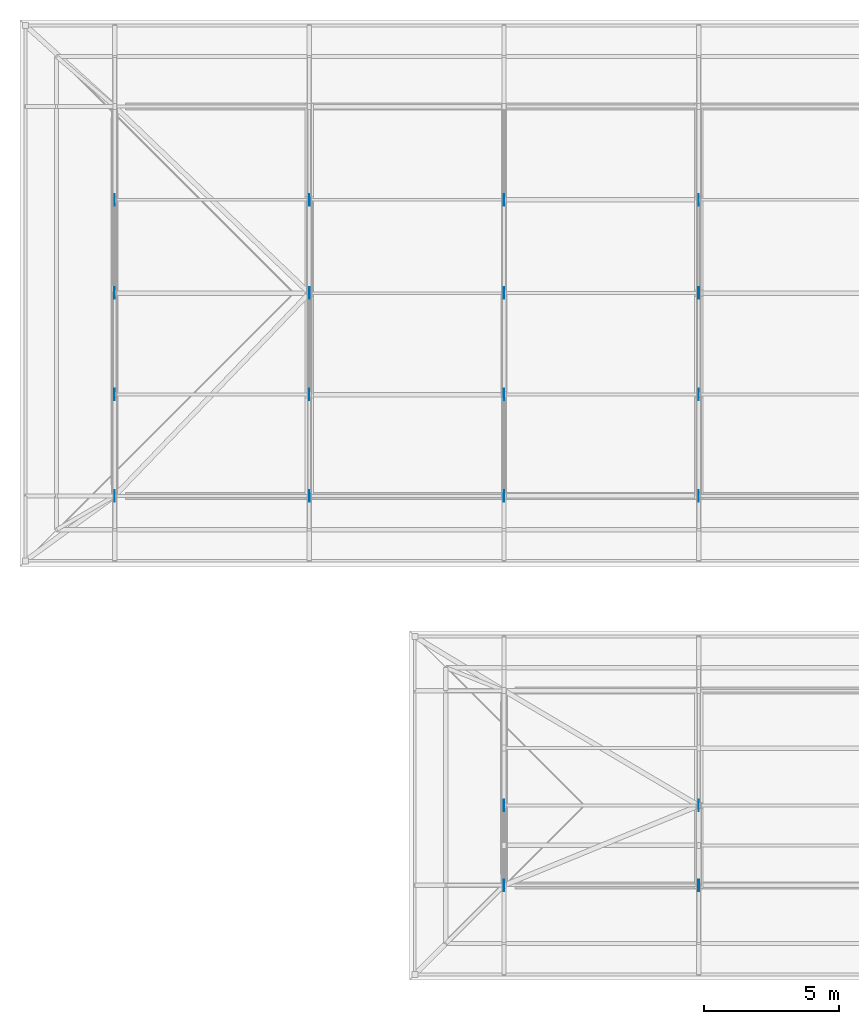
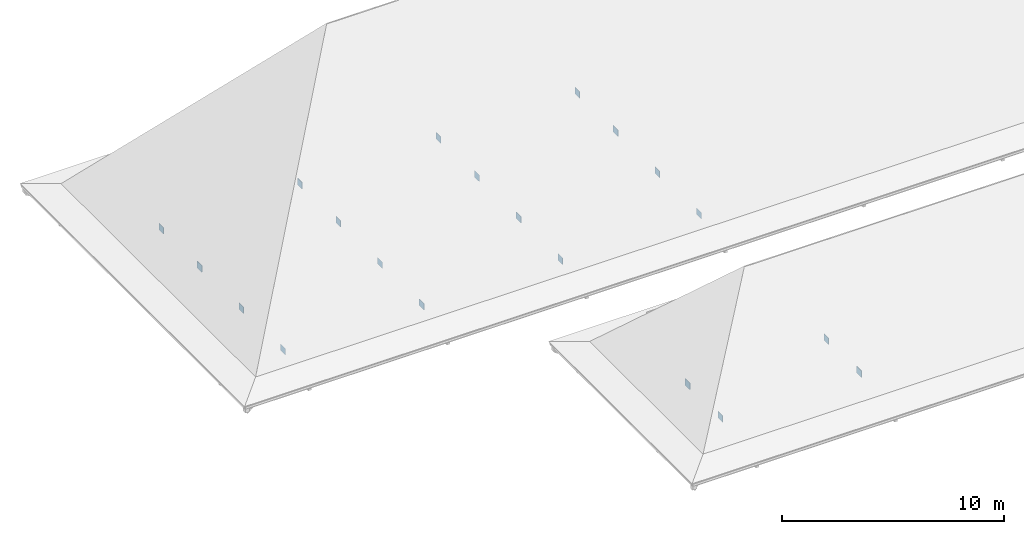
# One storey, part 9 of 12: 20 plates.
"""IFC4 building model written with IfcOpenShell, lengths in metres."""

from ifc_helpers import new_model, si_unit, direction, frame, origin, origin_2d, place, context, subcontext, project, spatial, rectangle, extrude, material, layer, layer_set, type_object, element, save


model = new_model("IFC4")

# Units and contexts
model_context = context("Model", 3, precision=1e-05, world=origin(), true_north=direction((0.0, 1.0)))
body_context = subcontext(model_context, "Body", "Model", "MODEL_VIEW")
ifc_project = project(units=[si_unit("LENGTHUNIT", "METRE"), si_unit("AREAUNIT", "SQUARE_METRE"), si_unit("VOLUMEUNIT", "CUBIC_METRE"), si_unit("PLANEANGLEUNIT", "RADIAN"), si_unit("MASSUNIT", "GRAM", prefix="KILO")], contexts=[model_context])

# Site, building, storey
site_placement = place(None, origin())
site = spatial("IfcSite", under=ifc_project, at=site_placement, CompositionType="ELEMENT")
building_placement = place(site_placement, origin())
building = spatial("IfcBuilding", under=site, at=building_placement, Name="Steenspoor Specialist Clinic", CompositionType="ELEMENT")
storey_placement = place(building_placement, frame((0.0, 0.0, 25.800048828125)))
storey = spatial("IfcBuildingStorey", under=building, at=storey_placement, Name="RF", CompositionType="ELEMENT", Elevation=25.800048828125)

# Plates
ifc_material = material(Name="Steel A572 Grade 50", Category="steel")
ifc_layer_1 = layer(ifc_material, 0.010009765625)
ifc_layer_set_1 = layer_set([ifc_layer_1], Name="Steel A572 Grade 50")
plate_type_1 = type_object("IfcPlateType", Name="PL-CAP-10", PredefinedType="SHEET", material=ifc_layer_set_1)
for number, where, z_axis, x_axis, name in (
    (1, (59.60009765625, 93.949951171875, 0.19970703125), (0.0, 0.0, 1.0), (1.0, 0.0, 0.0), "Truss Gusset Plate GP-10"),
    (2, (59.60009765625, 104.89990234375, 0.19970703125), (0.0, 0.0, 1.0), (1.0, 0.0, 0.0), "Truss Gusset Plate GP-10"),
    (3, (66.800048828125, 97.699951171875, 0.1513671875), (0.0, 0.0, 1.0), (1.0, 0.0, 0.0), "Truss Gusset Plate GP-10"),
    (4, (74.0, 101.449951171875, 0.12841796875), (0.0, 0.0, 1.0), (1.0, 0.0, 0.0), "Truss Gusset Plate GP-10"),
    (5, (81.199951171875, 93.949951171875, 0.09619140625), (0.0, 0.0, 1.0), (1.0, 0.0, 0.0), "Truss Gusset Plate GP-10"),
    (6, (81.199951171875, 104.89990234375, 0.09619140625), (0.0, 0.0, 1.0), (1.0, 0.0, 0.0), "Truss Gusset Plate GP-10"),
    (7, (81.199951171875, 82.5, 0.1513671875), (0.0, 0.0, 1.0), (1.0, 0.0, 0.0), "Truss Gusset Plate GP-10"),
):
    element("IfcPlate", number, at=place(storey_placement, frame(where, z_axis=z_axis, x_axis=x_axis)), inside=storey, type_object=plate_type_1, Name=name, PredefinedType="SHEET", context=body_context, shape_type="SweptSolid", body=[
        extrude(rectangle(XDim=0.010009765625, YDim=0.419921875, at=origin_2d()), origin(), (0.0, 0.0, 1.0), 0.360107421875),
    ])
ifc_layer_2 = layer(ifc_material, 0.01611328125)
ifc_layer_set_2 = layer_set([ifc_layer_2], Name="Steel A572 Grade 50")
plate_type_2 = type_object("IfcPlateType", Name="PL-GUS-16", PredefinedType="SHEET", material=ifc_layer_set_2)
for number, where, z_axis, x_axis, name in (
    (8, (59.60009765625, 97.699951171875, 0.19970703125), (0.0, 0.0, 1.0), (1.0, 0.0, 0.0), "Truss Gusset Plate GP-16"),
    (9, (66.800048828125, 101.449951171875, 0.1513671875), (0.0, 0.0, 1.0), (1.0, 0.0, 0.0), "Truss Gusset Plate GP-16"),
    (10, (74.0, 93.949951171875, 0.12841796875), (0.0, 0.0, 1.0), (1.0, 0.0, 0.0), "Truss Gusset Plate GP-16"),
    (11, (74.0, 104.89990234375, 0.12841796875), (0.0, 0.0, 1.0), (1.0, 0.0, 0.0), "Truss Gusset Plate GP-16"),
    (12, (81.199951171875, 97.699951171875, 0.09619140625), (0.0, 0.0, 1.0), (1.0, 0.0, 0.0), "Truss Gusset Plate GP-16"),
    (13, (74.0, 79.550048828125, 0.19970703125), (0.0, 0.0, 1.0), (1.0, 0.0, 0.0), "Truss Gusset Plate GP-16"),
):
    element("IfcPlate", number, at=place(storey_placement, frame(where, z_axis=z_axis, x_axis=x_axis)), inside=storey, type_object=plate_type_2, Name=name, PredefinedType="SHEET", context=body_context, shape_type="SweptSolid", body=[
        extrude(rectangle(XDim=0.01611328125, YDim=0.419921875, at=origin_2d()), origin(), (0.0, 0.0, 1.0), 0.360107421875),
    ])
ifc_layer_3 = layer(ifc_material, 0.02392578125)
ifc_layer_set_3 = layer_set([ifc_layer_3], Name="Steel A572 Grade 50")
plate_type_3 = type_object("IfcPlateType", Name="PL-GUS-24", PredefinedType="SHEET", material=ifc_layer_set_3)
for number, where, z_axis, x_axis, name in (
    (14, (59.60009765625, 101.449951171875, 0.19970703125), (0.0, 0.0, 1.0), (1.0, 0.0, 0.0), "Truss Gusset Plate GP-24"),
    (15, (66.800048828125, 93.949951171875, 0.1513671875), (0.0, 0.0, 1.0), (1.0, 0.0, 0.0), "Truss Gusset Plate GP-24"),
    (16, (66.800048828125, 104.89990234375, 0.1513671875), (0.0, 0.0, 1.0), (1.0, 0.0, 0.0), "Truss Gusset Plate GP-24"),
    (17, (74.0, 97.699951171875, 0.12841796875), (0.0, 0.0, 1.0), (1.0, 0.0, 0.0), "Truss Gusset Plate GP-24"),
    (18, (81.199951171875, 101.449951171875, 0.09619140625), (0.0, 0.0, 1.0), (1.0, 0.0, 0.0), "Truss Gusset Plate GP-24"),
    (19, (74.0, 82.5, 0.19970703125), (0.0, 0.0, 1.0), (1.0, 0.0, 0.0), "Truss Gusset Plate GP-24"),
    (20, (81.199951171875, 79.550048828125, 0.1513671875), (0.0, 0.0, 1.0), (1.0, 0.0, 0.0), "Truss Gusset Plate GP-24"),
):
    element("IfcPlate", number, at=place(storey_placement, frame(where, z_axis=z_axis, x_axis=x_axis)), inside=storey, type_object=plate_type_3, Name=name, PredefinedType="SHEET", context=body_context, shape_type="SweptSolid", body=[
        extrude(rectangle(XDim=0.02392578125, YDim=0.419921875, at=origin_2d()), origin(), (0.0, 0.0, 1.0), 0.360107421875),
    ])

save(model, "model.ifc")
